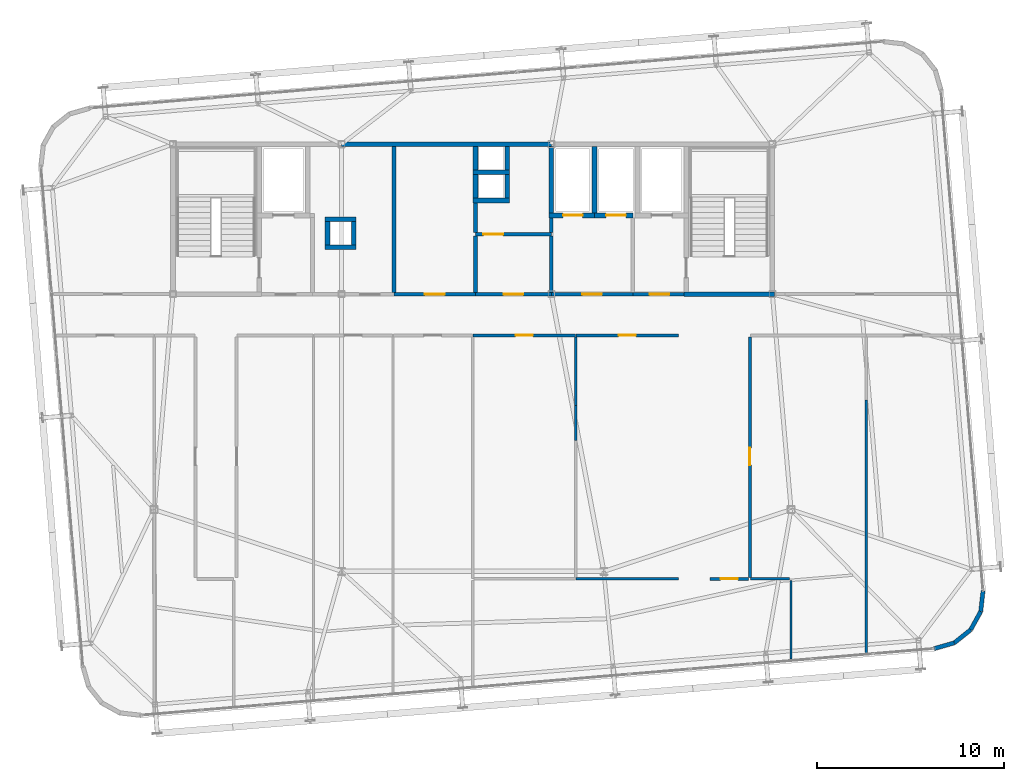
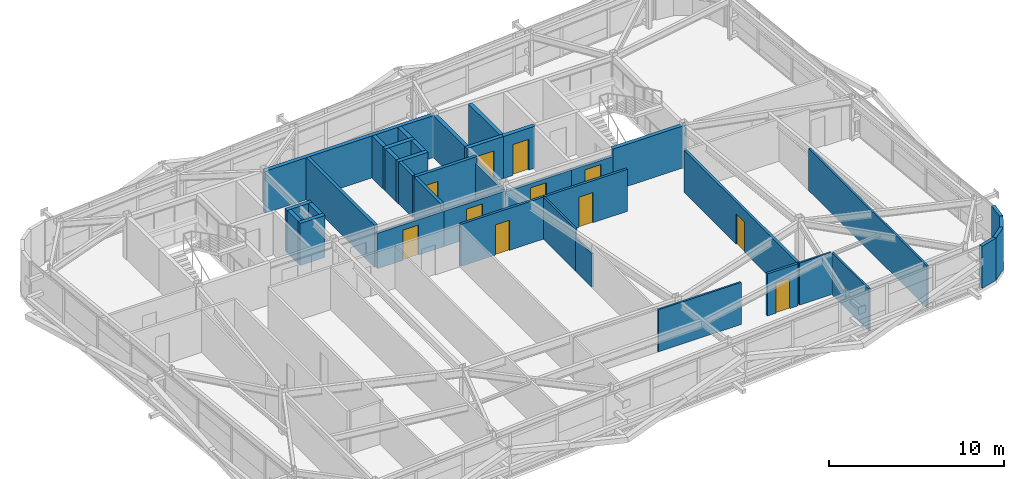
# One storey, part 41 of 44: 40 walls, 11 doors, 11 openings.
"""IFC4 building model written with IfcOpenShell, lengths in metres."""

from ifc_helpers import new_model, si_unit, direction, frame, frame_2d, origin, place, context, subcontext, project, spatial, rectangle, extrude, source, transform, mapped, material, layer, layer_set, type_object, element, fill, save


model = new_model("IFC4")

# Units and contexts
model_context = context("Model", 3, precision=1e-05, world=origin(), true_north=direction((0.0, 1.0)))
body_context = subcontext(model_context, "Body", "Model", "MODEL_VIEW")
ifc_project = project(units=[si_unit("LENGTHUNIT", "METRE"), si_unit("AREAUNIT", "SQUARE_METRE"), si_unit("VOLUMEUNIT", "CUBIC_METRE"), si_unit("PLANEANGLEUNIT", "RADIAN"), si_unit("MASSUNIT", "GRAM", prefix="KILO")], contexts=[model_context])

# Site, building, storey
site_placement = place(None, origin())
site = spatial("IfcSite", under=ifc_project, at=site_placement, CompositionType="ELEMENT")
building_placement = place(site_placement, origin())
building = spatial("IfcBuilding", under=site, at=building_placement, Name="Taldren Reach Tower", CompositionType="ELEMENT")
storey_placement = place(building_placement, frame((0.0, 0.0, 191.449951171875)))
storey = spatial("IfcBuildingStorey", under=building, at=storey_placement, Name="L58", CompositionType="ELEMENT", Elevation=191.449951171875)

# Walls
ifc_material_1 = material(Name="Pale Champagne Anodised Aluminium Cladding", Category="aluminium")
ifc_layer_1 = layer(ifc_material_1, 0.04, Name="Pale Champagne Anodised Aluminium Cladding", Category="aluminium")
ifc_material_2 = material(Name="Mineral Wool Acoustic Insulation", Category="insulation")
ifc_layer_2 = layer(ifc_material_2, 0.06, Name="Mineral Wool Acoustic Insulation", Category="insulation")
ifc_material_3 = material(Name="Steel Gr 350 (C350L0)", Category="steel")
ifc_layer_3 = layer(ifc_material_3, 0.12, Name="Steel Gr 350 (C350L0)", Category="steel")
ifc_layer_set_1 = layer_set([ifc_layer_1, ifc_layer_2, ifc_layer_3], Name="Pale Champagne Aluminium Cladding and Steel Gr 350 Stud Framing")
wall_type_1 = type_object("IfcWallType", Name="EW-CRN-220", PredefinedType="SOLIDWALL", material=ifc_layer_set_1)
shared_shape_1 = source(origin(), body_context, "Body", "SweptSolid", [
    extrude(rectangle(XDim=1.115966796875, YDim=0.219970703125, at=frame_2d((0.55810546875, 0.0))), origin(), (0.0, 0.0, 1.0), 2.929931640625),
])
for number, where, z_axis, x_axis, name in (
    (1, (59.635986328125, 5.0751953125, 0.0), (0.0, 0.0, 1.0), (0.961010464297, 0.276512002475, 0.0), "Rounded-corner pale-metal facade wall L58-SE1"),
    (2, (60.70849609375, 5.3837890625, 0.0), (0.0, 0.0, 1.0), (0.782147847222, 0.623092886403, 0.0), "Rounded-corner pale-metal facade wall L58-SE2"),
    (3, (61.581298828125, 6.0791015625, 0.0), (0.0, 0.0, 1.0), (0.483933071672, 0.875105012065, 0.0), "Rounded-corner pale-metal facade wall L58-SE3"),
    (4, (62.121337890625, 7.0556640625, 0.0), (0.0, 0.0, 1.0), (0.112448259968, 0.993657581277, 0.0), "Rounded-corner pale-metal facade wall L58-SE4"),
):
    element("IfcWall", number, at=place(storey_placement, frame(where, z_axis=z_axis, x_axis=x_axis)), inside=storey, type_object=wall_type_1, Name=name, PredefinedType="SOLIDWALL", context=body_context, shape_type="MappedRepresentation", body=[
        mapped(shared_shape_1, transform((0.0, 0.0, 0.0), scale=1.0)),
    ])

# Wall, opening, door
ifc_material_4 = material(Name="Concrete S50 (50 MPa)", Category="concrete")
ifc_layer_4 = layer(ifc_material_4, 0.199951171875)
ifc_layer_set_2 = layer_set([ifc_layer_4], Name="Concrete S50 (50 MPa)")
wall_type_2 = type_object("IfcWallType", Name="IW-CORE-200", PredefinedType="SOLIDWALL", material=ifc_layer_set_2)
shared_shape_2 = source(origin(), body_context, "Body", "SweptSolid", [
    extrude(rectangle(XDim=4.35009765625, YDim=0.199951171875, at=frame_2d((2.175048828125, 0.0))), origin(), (0.0, 0.0, 1.0), 2.39697265625),
])
wall_1_placement = place(storey_placement, frame((43.550048828125, 24.0, 0.0), z_axis=(0.0, 0.0, 1.0), x_axis=(-1.0, 0.0, 0.0)))
wall_1 = element("IfcWall", 5, at=wall_1_placement, inside=storey, type_object=wall_type_2, Name="Rear Core Shear Wall W-INT-L58-031", PredefinedType="SOLIDWALL", context=body_context, shape_type="MappedRepresentation", body=[
    mapped(shared_shape_2, transform((0.0, 0.0, 0.0), scale=1.0)),
])
shared_shape_3 = source(origin(), body_context, "Body", "SweptSolid", [
    extrude(rectangle(XDim=1.050048828125, YDim=2.10009765625, at=frame_2d((0.52490234375, 1.050048828125))), frame((0.0, 0.10986328125, 0.0), z_axis=(0.0, -1.0, 0.0), x_axis=(1.0, 0.0, 0.0)), (0.0, 0.0, 1.0), 0.219970703125),
])
opening_1_placement = place(wall_1_placement, frame((1.64990234375, 0.0, 0.0)))
opening_1 = element("IfcOpeningElement", 6, at=opening_1_placement, cuts=wall_1, Name="Opening DF-105", PredefinedType="OPENING", context=body_context, shape_type="MappedRepresentation", body=[
    mapped(shared_shape_3, transform((0.0, 0.0, 0.0), scale=1.0)),
])
ifc_material_5 = material(Name="Fire-Rated Care and Stair Exit Door")
door_type_1 = type_object("IfcDoorType", Name="ID-FIRE-105", OperationType="NOTDEFINED", PredefinedType="DOOR", material=ifc_material_5)
shared_shape_4 = source(origin(), body_context, "Body", "SweptSolid", [
    extrude(rectangle(XDim=1.050048828125, YDim=2.10009765625, at=frame_2d((0.52490234375, 1.050048828125))), frame((0.0, 0.02490234375, 0.0), z_axis=(0.0, -1.0, 0.0), x_axis=(1.0, 0.0, 0.0)), (0.0, 0.0, 1.0), 0.050048828125),
])
door_1_placement = place(opening_1_placement, frame((1.050048828125, 0.0, 0.0), z_axis=(0.0, 0.0, 1.0), x_axis=(-1.0, 0.0, 0.0)))
door_1 = element("IfcDoor", 7, at=door_1_placement, inside=storey, type_object=door_type_1, Name="Interior Door DR-L58-005", OperationType="SINGLE_SWING_LEFT", OverallHeight=2.10009765625, OverallWidth=1.050048828125, PredefinedType="DOOR", context=body_context, shape_type="MappedRepresentation", body=[
    mapped(shared_shape_4, transform((0.0, 0.0, 0.0), scale=1.0)),
])
fill(opening_1, door_1)

ifc_material_6 = material(Name="Fire-Rated Acoustic Plasterboard Stud Wall", Category="gypsum")
ifc_layer_5 = layer(ifc_material_6, 0.159912109375)
ifc_layer_set_3 = layer_set([ifc_layer_5], Name="Fire-Rated Acoustic Plasterboard Stud Wall")
wall_type_3 = type_object("IfcWallType", Name="IW-FIRE-160", PredefinedType="PARTITIONING", material=ifc_layer_set_3)
shared_shape_5 = source(origin(), body_context, "Body", "SweptSolid", [
    extrude(rectangle(XDim=2.0400390625, YDim=0.159912109375, at=frame_2d((1.02001953125, 0.0))), origin(), (0.0, 0.0, 1.0), 2.929931640625),
])
wall_2_placement = place(storey_placement, frame((49.719970703125, 8.800048828125, 0.0), z_axis=(0.0, 0.0, 1.0), x_axis=(-1.0, 0.0, 0.0)))
wall_2 = element("IfcWall", 8, at=wall_2_placement, inside=storey, type_object=wall_type_3, Name="Interior Partition Wall W-INT-L58-039", PredefinedType="PARTITIONING", context=body_context, shape_type="MappedRepresentation", body=[
    mapped(shared_shape_5, transform((0.0, 0.0, 0.0), scale=1.0)),
])
shared_shape_6 = source(origin(), body_context, "Body", "SweptSolid", [
    extrude(rectangle(XDim=0.919921875, YDim=2.10009765625, at=frame_2d((0.4599609375, 1.050048828125))), frame((0.0, 0.08984375, 0.0), z_axis=(0.0, -1.0, 0.0), x_axis=(1.0, 0.0, 0.0)), (0.0, 0.0, 1.0), 0.179931640625),
])
opening_2_placement = place(wall_2_placement, frame((0.56005859375, 0.0, 0.0)))
opening_2 = element("IfcOpeningElement", 9, at=opening_2_placement, cuts=wall_2, Name="Opening DI-092", PredefinedType="OPENING", context=body_context, shape_type="MappedRepresentation", body=[
    mapped(shared_shape_6, transform((0.0, 0.0, 0.0), scale=1.0)),
])
ifc_material_7 = material(Name="Solid-Core Timber Suite Door", Category="wood")
door_type_2 = type_object("IfcDoorType", Name="ID-INT-092", OperationType="NOTDEFINED", PredefinedType="DOOR", material=ifc_material_7)
shared_shape_7 = source(origin(), body_context, "Body", "SweptSolid", [
    extrude(rectangle(XDim=0.919921875, YDim=2.10009765625, at=frame_2d((0.4599609375, 1.050048828125))), frame((0.0, 0.02490234375, 0.0), z_axis=(0.0, -1.0, 0.0), x_axis=(1.0, 0.0, 0.0)), (0.0, 0.0, 1.0), 0.050048828125),
])
door_2_placement = place(opening_2_placement, origin())
door_2 = element("IfcDoor", 10, at=door_2_placement, inside=storey, type_object=door_type_2, Name="Interior Door DR-L58-010", OperationType="SINGLE_SWING_LEFT", OverallHeight=2.10009765625, OverallWidth=0.919921875, PredefinedType="DOOR", context=body_context, shape_type="MappedRepresentation", body=[
    mapped(shared_shape_7, transform((0.0, 0.0, 0.0), scale=1.0)),
])
fill(opening_2, door_2)

shared_shape_8 = source(origin(), body_context, "Body", "SweptSolid", [
    extrude(rectangle(XDim=4.349853515625, YDim=0.199951171875, at=frame_2d((2.1748046875, 0.0))), origin(), (0.0, 0.0, 1.0), 2.469970703125),
])
wall_3_placement = place(storey_placement, frame((35.14990234375, 24.0, 0.0), z_axis=(0.0, 0.0, 1.0), x_axis=(-1.0, 0.0, 0.0)))
wall_3 = element("IfcWall", 11, at=wall_3_placement, inside=storey, type_object=wall_type_2, Name="Rear Core Shear Wall W-INT-L58-036", PredefinedType="SOLIDWALL", context=body_context, shape_type="MappedRepresentation", body=[
    mapped(shared_shape_8, transform((0.0, 0.0, 0.0), scale=1.0)),
])
opening_3_placement = place(wall_3_placement, frame((1.64990234375, 0.0, 0.0)))
opening_3 = element("IfcOpeningElement", 12, at=opening_3_placement, cuts=wall_3, Name="Opening DF-105", PredefinedType="OPENING", context=body_context, shape_type="MappedRepresentation", body=[
    mapped(shared_shape_3, transform((0.0, 0.0, 0.0), scale=1.0)),
])
door_3_placement = place(opening_3_placement, frame((1.050048828125, 0.0, 0.0), z_axis=(0.0, 0.0, 1.0), x_axis=(-1.0, 0.0, 0.0)))
door_3 = element("IfcDoor", 13, at=door_3_placement, inside=storey, type_object=door_type_1, Name="Interior Door DR-L58-007", OperationType="SINGLE_SWING_LEFT", OverallHeight=2.10009765625, OverallWidth=1.050048828125, PredefinedType="DOOR", context=body_context, shape_type="MappedRepresentation", body=[
    mapped(shared_shape_4, transform((0.0, 0.0, 0.0), scale=1.0)),
])
fill(opening_3, door_3)

# Wall
shared_shape_9 = source(origin(), body_context, "Body", "SweptSolid", [
    extrude(rectangle(XDim=3.0, YDim=0.199951171875, at=frame_2d((1.5, 0.0))), origin(), (0.0, 0.0, 1.0), 2.469970703125),
])
wall_4_placement = place(storey_placement, frame((39.199951171875, 24.10009765625, 0.0), z_axis=(0.0, 0.0, 1.0), x_axis=(0.0, 1.0, 0.0)))
element("IfcWall", 14, at=wall_4_placement, inside=storey, type_object=wall_type_2, Name="Rear Core Shear Wall W-INT-L58-029", PredefinedType="SOLIDWALL", context=body_context, shape_type="MappedRepresentation", body=[
    mapped(shared_shape_9, transform((0.0, 0.0, 0.0), scale=1.0)),
])

# Wall, opening, door
shared_shape_10 = source(origin(), body_context, "Body", "SweptSolid", [
    extrude(rectangle(XDim=5.45947265625, YDim=0.159912109375, at=frame_2d((2.729736328125, 0.0))), origin(), (0.0, 0.0, 1.0), 2.929931640625),
])
wall_5_placement = place(storey_placement, frame((40.479736328125, 21.800048828125, 0.0), z_axis=(0.0, 0.0, 1.0), x_axis=(-1.0, 0.0, 0.0)))
wall_5 = element("IfcWall", 15, at=wall_5_placement, inside=storey, type_object=wall_type_3, Name="Interior Partition Wall W-INT-L58-050", PredefinedType="PARTITIONING", context=body_context, shape_type="MappedRepresentation", body=[
    mapped(shared_shape_10, transform((0.0, 0.0, 0.0), scale=1.0)),
])
opening_4_placement = place(wall_5_placement, frame((2.269775390625, 0.0, 0.0)))
opening_4 = element("IfcOpeningElement", 16, at=opening_4_placement, cuts=wall_5, Name="Opening DI-092", PredefinedType="OPENING", context=body_context, shape_type="MappedRepresentation", body=[
    mapped(shared_shape_6, transform((0.0, 0.0, 0.0), scale=1.0)),
])
door_4_placement = place(opening_4_placement, origin())
door_4 = element("IfcDoor", 17, at=door_4_placement, inside=storey, type_object=door_type_2, Name="Interior Door DR-L58-018", OperationType="SINGLE_SWING_LEFT", OverallHeight=2.10009765625, OverallWidth=0.919921875, PredefinedType="DOOR", context=body_context, shape_type="MappedRepresentation", body=[
    mapped(shared_shape_7, transform((0.0, 0.0, 0.0), scale=1.0)),
])
fill(opening_4, door_4)

wall_6_placement = place(storey_placement, frame((45.979736328125, 21.800048828125, 0.0), z_axis=(0.0, 0.0, 1.0), x_axis=(-1.0, 0.0, 0.0)))
wall_6 = element("IfcWall", 18, at=wall_6_placement, inside=storey, type_object=wall_type_3, Name="Interior Partition Wall W-INT-L58-051", PredefinedType="PARTITIONING", context=body_context, shape_type="MappedRepresentation", body=[
    mapped(shared_shape_10, transform((0.0, 0.0, 0.0), scale=1.0)),
])
opening_5_placement = place(wall_6_placement, frame((2.269775390625, 0.0, 0.0)))
opening_5 = element("IfcOpeningElement", 19, at=opening_5_placement, cuts=wall_6, Name="Opening DI-092", PredefinedType="OPENING", context=body_context, shape_type="MappedRepresentation", body=[
    mapped(shared_shape_6, transform((0.0, 0.0, 0.0), scale=1.0)),
])
door_5_placement = place(opening_5_placement, origin())
door_5 = element("IfcDoor", 20, at=door_5_placement, inside=storey, type_object=door_type_2, Name="Interior Door DR-L58-019", OperationType="SINGLE_SWING_RIGHT", OverallHeight=2.10009765625, OverallWidth=0.919921875, PredefinedType="DOOR", context=body_context, shape_type="MappedRepresentation", body=[
    mapped(shared_shape_7, transform((0.0, 0.0, 0.0), scale=1.0)),
])
fill(opening_5, door_5)

# Walls
ifc_material_8 = material(Name="Insulated Residential Stud Partition", Category="gypsum")
ifc_layer_6 = layer(ifc_material_8, 0.1201171875)
ifc_layer_set_4 = layer_set([ifc_layer_6], Name="Insulated Residential Stud Partition")
wall_type_4 = type_object("IfcWallType", Name="IW-PART-120", PredefinedType="PARTITIONING", material=ifc_layer_set_4)
shared_shape_11 = source(origin(), body_context, "Body", "SweptSolid", [
    extrude(rectangle(XDim=1.86083984375, YDim=0.1201171875, at=frame_2d((0.930419921875, 0.0))), origin(), (0.0, 0.0, 1.0), 2.328125),
])
wall_7_placement = place(storey_placement, frame((40.5, 18.05908203125, 0.0), z_axis=(0.0, 0.0, 1.0), x_axis=(0.0, -1.0, 0.0)))
element("IfcWall", 21, at=wall_7_placement, inside=storey, type_object=wall_type_4, Name="Interior Partition Wall W-INT-L58-065 part 2", PredefinedType="PARTITIONING", context=body_context, shape_type="MappedRepresentation", body=[
    mapped(shared_shape_11, transform((0.0, 0.0, 0.0), scale=1.0)),
])
ifc_material_9 = material(Name="Concrete S65 (65 MPa)", Category="concrete")
ifc_layer_7 = layer(ifc_material_9, 0.25)
ifc_layer_set_5 = layer_set([ifc_layer_7], Name="Concrete S65 (65 MPa)")
wall_type_5 = type_object("IfcWallType", Name="IW-CORE-250", PredefinedType="SHEAR", material=ifc_layer_set_5)
shared_shape_12 = source(origin(), body_context, "Body", "SweptSolid", [
    extrude(rectangle(XDim=11.199951171875, YDim=0.25, at=frame_2d((5.60009765625, 0.0))), origin(), (0.0, 0.0, 1.0), 2.929931640625),
])
wall_8_placement = place(storey_placement, frame((28.0, 32.0, 0.0), z_axis=(0.0, 0.0, 1.0), x_axis=(1.0, 0.0, 0.0)))
element("IfcWall", 22, at=wall_8_placement, inside=storey, type_object=wall_type_5, Name="Rear Core Shear Wall W-CORE-L58-NORTH2", PredefinedType="SHEAR", context=body_context, shape_type="MappedRepresentation", body=[
    mapped(shared_shape_12, transform((0.0, 0.0, 0.0), scale=1.0)),
])
shared_shape_13 = source(origin(), body_context, "Body", "SweptSolid", [
    extrude(rectangle(XDim=3.550048828125, YDim=0.25, at=frame_2d((1.77490234375, 0.0))), origin(), (0.0, 0.0, 1.0), 2.929931640625),
])
for number, where, z_axis, x_axis, name in (
    (23, (41.5, 28.324951171875, 0.0), (0.0, 0.0, 1.0), (0.0, 1.0, 0.0), "Rear Core Shear Wall W-INT-L58-025"),
    (24, (39.199951171875, 31.875, 0.0), (0.0, 0.0, 1.0), (0.0, -1.0, 0.0), "Rear Core Shear Wall W-INT-L58-027"),
):
    element("IfcWall", number, at=place(storey_placement, frame(where, z_axis=z_axis, x_axis=x_axis)), inside=storey, type_object=wall_type_5, Name=name, PredefinedType="SHEAR", context=body_context, shape_type="MappedRepresentation", body=[
        mapped(shared_shape_13, transform((0.0, 0.0, 0.0), scale=1.0)),
    ])
shared_shape_14 = source(origin(), body_context, "Body", "SweptSolid", [
    extrude(rectangle(XDim=4.85009765625, YDim=0.25, at=frame_2d((2.425048828125, 0.0))), origin(), (0.0, 0.0, 1.0), 2.929931640625),
])
wall_9_placement = place(storey_placement, frame((46.27490234375, 24.0, 0.0), z_axis=(0.0, 0.0, 1.0), x_axis=(1.0, 0.0, 0.0)))
element("IfcWall", 25, at=wall_9_placement, inside=storey, type_object=wall_type_5, Name="Rear Core Shear Wall W-INT-L58-010", PredefinedType="SHEAR", context=body_context, shape_type="MappedRepresentation", body=[
    mapped(shared_shape_14, transform((0.0, 0.0, 0.0), scale=1.0)),
])

# Wall, opening, door
shared_shape_15 = source(origin(), body_context, "Body", "SweptSolid", [
    extrude(rectangle(XDim=2.724853515625, YDim=0.199951171875, at=frame_2d((1.3623046875, 0.0))), origin(), (0.0, 0.0, 1.0), 2.39697265625),
])
wall_10_placement = place(storey_placement, frame((43.550048828125, 24.0, 0.0), z_axis=(0.0, 0.0, 1.0), x_axis=(1.0, 0.0, 0.0)))
wall_10 = element("IfcWall", 26, at=wall_10_placement, inside=storey, type_object=wall_type_2, Name="Rear Core Shear Wall W-INT-L58-014", PredefinedType="SOLIDWALL", context=body_context, shape_type="MappedRepresentation", body=[
    mapped(shared_shape_15, transform((0.0, 0.0, 0.0), scale=1.0)),
])
opening_6_placement = place(wall_10_placement, frame((0.89990234375, 0.0, 0.0)))
opening_6 = element("IfcOpeningElement", 27, at=opening_6_placement, cuts=wall_10, Name="Opening DF-105", PredefinedType="OPENING", context=body_context, shape_type="MappedRepresentation", body=[
    mapped(shared_shape_3, transform((0.0, 0.0, 0.0), scale=1.0)),
])
door_6_placement = place(opening_6_placement, origin())
door_6 = element("IfcDoor", 28, at=door_6_placement, inside=storey, type_object=door_type_1, Name="Interior Door DR-L58-004", OperationType="SINGLE_SWING_LEFT", OverallHeight=2.10009765625, OverallWidth=1.050048828125, PredefinedType="DOOR", context=body_context, shape_type="MappedRepresentation", body=[
    mapped(shared_shape_4, transform((0.0, 0.0, 0.0), scale=1.0)),
])
fill(opening_6, door_6)

# Walls
shared_shape_16 = source(origin(), body_context, "Body", "SweptSolid", [
    extrude(rectangle(XDim=1.9501953125, YDim=0.25, at=frame_2d((0.97509765625, 0.0))), origin(), (0.0, 0.0, 1.0), 2.929931640625),
])
for number, where, z_axis, x_axis, name in (
    (29, (35.02490234375, 30.5, 0.0), (0.0, 0.0, 1.0), (1.0, 0.0, 0.0), "Rear Core Shear Wall W-INT-L58-015"),
    (30, (35.02490234375, 29.0, 0.0), (0.0, 0.0, 1.0), (1.0, 0.0, 0.0), "Rear Core Shear Wall W-INT-L58-019"),
):
    element("IfcWall", number, at=place(storey_placement, frame(where, z_axis=z_axis, x_axis=x_axis)), inside=storey, type_object=wall_type_5, Name=name, PredefinedType="SHEAR", context=body_context, shape_type="MappedRepresentation", body=[
        mapped(shared_shape_16, transform((0.0, 0.0, 0.0), scale=1.0)),
    ])
shared_shape_17 = source(origin(), body_context, "Body", "SweptSolid", [
    extrude(rectangle(XDim=1.25, YDim=0.25, at=frame_2d((0.625, 0.0))), origin(), (0.0, 0.0, 1.0), 2.929931640625),
])
for number, where, z_axis, x_axis, name in (
    (31, (35.14990234375, 31.875, 0.0), (0.0, 0.0, 1.0), (0.0, -1.0, 0.0), "Rear Core Shear Wall W-INT-L58-016"),
    (32, (36.85009765625, 30.625, 0.0), (0.0, 0.0, 1.0), (0.0, 1.0, 0.0), "Rear Core Shear Wall W-INT-L58-017"),
    (33, (35.14990234375, 30.375, 0.0), (0.0, 0.0, 1.0), (0.0, -1.0, 0.0), "Rear Core Shear Wall W-INT-L58-018"),
    (34, (36.85009765625, 29.125, 0.0), (0.0, 0.0, 1.0), (0.0, 1.0, 0.0), "Rear Core Shear Wall W-INT-L58-020"),
    (35, (28.64990234375, 26.625, 0.0), (0.0, 0.0, 1.0), (0.0, 1.0, 0.0), "Rear Core Shear Wall W-INT-L58-021"),
    (36, (27.25, 27.875, 0.0), (0.0, 0.0, 1.0), (0.0, -1.0, 0.0), "Rear Core Shear Wall W-INT-L58-022"),
):
    element("IfcWall", number, at=place(storey_placement, frame(where, z_axis=z_axis, x_axis=x_axis)), inside=storey, type_object=wall_type_5, Name=name, PredefinedType="SHEAR", context=body_context, shape_type="MappedRepresentation", body=[
        mapped(shared_shape_17, transform((0.0, 0.0, 0.0), scale=1.0)),
    ])
shared_shape_18 = source(origin(), body_context, "Body", "SweptSolid", [
    extrude(rectangle(XDim=1.64990234375, YDim=0.25, at=frame_2d((0.824951171875, 0.0))), origin(), (0.0, 0.0, 1.0), 2.929931640625),
])
for number, where, z_axis, x_axis, name in (
    (37, (28.77490234375, 28.0, 0.0), (0.0, 0.0, 1.0), (-1.0, 0.0, 0.0), "Rear Core Shear Wall W-INT-L58-023"),
    (38, (27.125, 26.5, 0.0), (0.0, 0.0, 1.0), (1.0, 0.0, 0.0), "Rear Core Shear Wall W-INT-L58-024"),
):
    element("IfcWall", number, at=place(storey_placement, frame(where, z_axis=z_axis, x_axis=x_axis)), inside=storey, type_object=wall_type_5, Name=name, PredefinedType="SHEAR", context=body_context, shape_type="MappedRepresentation", body=[
        mapped(shared_shape_18, transform((0.0, 0.0, 0.0), scale=1.0)),
    ])

# Wall, opening, door
shared_shape_19 = source(origin(), body_context, "Body", "SweptSolid", [
    extrude(rectangle(XDim=2.425048828125, YDim=0.25, at=frame_2d((1.21240234375, 0.0))), origin(), (0.0, 0.0, 1.0), 2.929931640625),
])
wall_11_placement = place(storey_placement, frame((39.074951171875, 28.199951171875, 0.0), z_axis=(0.0, 0.0, 1.0), x_axis=(1.0, 0.0, 0.0)))
wall_11 = element("IfcWall", 39, at=wall_11_placement, inside=storey, type_object=wall_type_5, Name="Rear Core Shear Wall W-INT-L58-026", PredefinedType="SHEAR", context=body_context, shape_type="MappedRepresentation", body=[
    mapped(shared_shape_19, transform((0.0, 0.0, 0.0), scale=1.0)),
])
shared_shape_20 = source(origin(), body_context, "Body", "SweptSolid", [
    extrude(rectangle(XDim=1.050048828125, YDim=2.14990234375, at=frame_2d((0.52490234375, 1.074951171875))), frame((0.0, 0.135009765625, 0.0), z_axis=(0.0, -1.0, 0.0), x_axis=(1.0, 0.0, 0.0)), (0.0, 0.0, 1.0), 0.27001953125),
])
opening_7_placement = place(wall_11_placement, frame((0.75, 0.0, 0.0)))
opening_7 = element("IfcOpeningElement", 40, at=opening_7_placement, cuts=wall_11, Name="Opening LD-PH1", PredefinedType="OPENING", context=body_context, shape_type="MappedRepresentation", body=[
    mapped(shared_shape_20, transform((0.0, 0.0, 0.0), scale=1.0)),
])
ifc_material_10 = material(Name="Stainless Steel Gr 316 Passenger Lift Landing Door", Category="steel")
door_type_3 = type_object("IfcDoorType", Name="LD-PAS-105", OperationType="SLIDING_TO_LEFT", PredefinedType="DOOR", material=ifc_material_10)
shared_shape_21 = source(origin(), body_context, "Body", "SweptSolid", [
    extrude(rectangle(XDim=1.050048828125, YDim=2.14990234375, at=frame_2d((0.52490234375, 1.074951171875))), frame((0.0, 0.02490234375, 0.0), z_axis=(0.0, -1.0, 0.0), x_axis=(1.0, 0.0, 0.0)), (0.0, 0.0, 1.0), 0.050048828125),
])
door_7_placement = place(opening_7_placement, origin())
door_7 = element("IfcDoor", 41, at=door_7_placement, inside=storey, type_object=door_type_3, Name="Lift Landing Door LD-PH1-L58", OperationType="SLIDING_TO_LEFT", OverallHeight=2.14990234375, OverallWidth=1.050048828125, PredefinedType="DOOR", context=body_context, shape_type="MappedRepresentation", body=[
    mapped(shared_shape_21, transform((0.0, 0.0, 0.0), scale=1.0)),
])
fill(opening_7, door_7)

shared_shape_22 = source(origin(), body_context, "Body", "SweptSolid", [
    extrude(rectangle(XDim=2.070068359375, YDim=0.25, at=frame_2d((1.03515625, 0.0))), origin(), (0.0, 0.0, 1.0), 2.929931640625),
])
wall_12_placement = place(storey_placement, frame((41.5, 28.199951171875, 0.0), z_axis=(0.0, 0.0, 1.0), x_axis=(1.0, 0.0, 0.0)))
wall_12 = element("IfcWall", 42, at=wall_12_placement, inside=storey, type_object=wall_type_5, Name="Rear Core Shear Wall W-INT-L58-028", PredefinedType="SHEAR", context=body_context, shape_type="MappedRepresentation", body=[
    mapped(shared_shape_22, transform((0.0, 0.0, 0.0), scale=1.0)),
])
opening_8_placement = place(wall_12_placement, frame((0.625, 0.0, 0.0)))
opening_8 = element("IfcOpeningElement", 43, at=opening_8_placement, cuts=wall_12, Name="Opening LD-PH2", PredefinedType="OPENING", context=body_context, shape_type="MappedRepresentation", body=[
    mapped(shared_shape_20, transform((0.0, 0.0, 0.0), scale=1.0)),
])
door_8_placement = place(opening_8_placement, origin())
door_8 = element("IfcDoor", 44, at=door_8_placement, inside=storey, type_object=door_type_3, Name="Lift Landing Door LD-PH2-L58", OperationType="SLIDING_TO_LEFT", OverallHeight=2.14990234375, OverallWidth=1.050048828125, PredefinedType="DOOR", context=body_context, shape_type="MappedRepresentation", body=[
    mapped(shared_shape_21, transform((0.0, 0.0, 0.0), scale=1.0)),
])
fill(opening_8, door_8)

# Walls
shared_shape_23 = source(origin(), body_context, "Body", "SweptSolid", [
    extrude(rectangle(XDim=0.77490234375, YDim=0.199951171875, at=frame_2d((0.387451171875, 0.0))), origin(), (0.0, 0.0, 1.0), 2.469970703125),
])
wall_13_placement = place(storey_placement, frame((39.199951171875, 27.300048828125, 0.0), z_axis=(0.0, 0.0, 1.0), x_axis=(0.0, 1.0, 0.0)))
element("IfcWall", 45, at=wall_13_placement, inside=storey, type_object=wall_type_2, Name="Rear Core Shear Wall W-INT-L58-030", PredefinedType="SOLIDWALL", context=body_context, shape_type="MappedRepresentation", body=[
    mapped(shared_shape_23, transform((0.0, 0.0, 0.0), scale=1.0)),
])
shared_shape_24 = source(origin(), body_context, "Body", "SweptSolid", [
    extrude(rectangle(XDim=7.77490234375, YDim=0.199951171875, at=frame_2d((3.887451171875, 0.0))), origin(), (0.0, 0.0, 1.0), 2.929931640625),
])
wall_14_placement = place(storey_placement, frame((30.800048828125, 31.875, 0.0), z_axis=(0.0, 0.0, 1.0), x_axis=(0.0, -1.0, 0.0)))
element("IfcWall", 46, at=wall_14_placement, inside=storey, type_object=wall_type_2, Name="Rear Core Shear Wall W-INT-L58-032", PredefinedType="SOLIDWALL", context=body_context, shape_type="MappedRepresentation", body=[
    mapped(shared_shape_24, transform((0.0, 0.0, 0.0), scale=1.0)),
])
shared_shape_25 = source(origin(), body_context, "Body", "SweptSolid", [
    extrude(rectangle(XDim=3.0, YDim=0.199951171875, at=frame_2d((1.5, 0.0))), origin(), (0.0, 0.0, 1.0), 2.929931640625),
])
wall_15_placement = place(storey_placement, frame((35.14990234375, 27.10009765625, 0.0), z_axis=(0.0, 0.0, 1.0), x_axis=(0.0, -1.0, 0.0)))
element("IfcWall", 47, at=wall_15_placement, inside=storey, type_object=wall_type_2, Name="Rear Core Shear Wall W-INT-L58-034", PredefinedType="SOLIDWALL", context=body_context, shape_type="MappedRepresentation", body=[
    mapped(shared_shape_25, transform((0.0, 0.0, 0.0), scale=1.0)),
])
shared_shape_26 = source(origin(), body_context, "Body", "SweptSolid", [
    extrude(rectangle(XDim=1.574951171875, YDim=0.199951171875, at=frame_2d((0.78759765625, 0.0))), origin(), (0.0, 0.0, 1.0), 2.929931640625),
])
wall_16_placement = place(storey_placement, frame((35.14990234375, 28.875, 0.0), z_axis=(0.0, 0.0, 1.0), x_axis=(0.0, -1.0, 0.0)))
element("IfcWall", 48, at=wall_16_placement, inside=storey, type_object=wall_type_2, Name="Rear Core Shear Wall W-INT-L58-035", PredefinedType="SOLIDWALL", context=body_context, shape_type="MappedRepresentation", body=[
    mapped(shared_shape_26, transform((0.0, 0.0, 0.0), scale=1.0)),
])

# Wall, opening, door
shared_shape_27 = source(origin(), body_context, "Body", "SweptSolid", [
    extrude(rectangle(XDim=4.050048828125, YDim=0.199951171875, at=frame_2d((2.02490234375, 0.0))), origin(), (0.0, 0.0, 1.0), 2.929931640625),
])
wall_17_placement = place(storey_placement, frame((35.14990234375, 27.199951171875, 0.0), z_axis=(0.0, 0.0, 1.0), x_axis=(1.0, 0.0, 0.0)))
wall_17 = element("IfcWall", 49, at=wall_17_placement, inside=storey, type_object=wall_type_2, Name="Rear Core Shear Wall W-INT-L58-037", PredefinedType="SOLIDWALL", context=body_context, shape_type="MappedRepresentation", body=[
    mapped(shared_shape_27, transform((0.0, 0.0, 0.0), scale=1.0)),
])
opening_9_placement = place(wall_17_placement, frame((0.419921875, 0.0, 0.0)))
opening_9 = element("IfcOpeningElement", 50, at=opening_9_placement, cuts=wall_17, Name="Opening DF-105", PredefinedType="OPENING", context=body_context, shape_type="MappedRepresentation", body=[
    mapped(shared_shape_3, transform((0.0, 0.0, 0.0), scale=1.0)),
])
door_9_placement = place(opening_9_placement, origin())
door_9 = element("IfcDoor", 51, at=door_9_placement, inside=storey, type_object=door_type_1, Name="Interior Door DR-L58-008", OperationType="SINGLE_SWING_LEFT", OverallHeight=2.10009765625, OverallWidth=1.050048828125, PredefinedType="DOOR", context=body_context, shape_type="MappedRepresentation", body=[
    mapped(shared_shape_4, transform((0.0, 0.0, 0.0), scale=1.0)),
])
fill(opening_9, door_9)

shared_shape_28 = source(origin(), body_context, "Body", "SweptSolid", [
    extrude(rectangle(XDim=4.050048828125, YDim=0.199951171875, at=frame_2d((2.02490234375, 0.0))), origin(), (0.0, 0.0, 1.0), 2.469970703125),
])
wall_18_placement = place(storey_placement, frame((39.199951171875, 24.0, 0.0), z_axis=(0.0, 0.0, 1.0), x_axis=(-1.0, 0.0, 0.0)))
wall_18 = element("IfcWall", 52, at=wall_18_placement, inside=storey, type_object=wall_type_2, Name="Rear Core Shear Wall W-INT-L58-038", PredefinedType="SOLIDWALL", context=body_context, shape_type="MappedRepresentation", body=[
    mapped(shared_shape_28, transform((0.0, 0.0, 0.0), scale=1.0)),
])
opening_10_placement = place(wall_18_placement, frame((1.5, 0.0, 0.0)))
opening_10 = element("IfcOpeningElement", 53, at=opening_10_placement, cuts=wall_18, Name="Opening DF-105", PredefinedType="OPENING", context=body_context, shape_type="MappedRepresentation", body=[
    mapped(shared_shape_3, transform((0.0, 0.0, 0.0), scale=1.0)),
])
door_10_placement = place(opening_10_placement, frame((1.050048828125, 0.0, 0.0), z_axis=(0.0, 0.0, 1.0), x_axis=(-1.0, 0.0, 0.0)))
door_10 = element("IfcDoor", 54, at=door_10_placement, inside=storey, type_object=door_type_1, Name="Interior Door DR-L58-009", OperationType="SINGLE_SWING_LEFT", OverallHeight=2.10009765625, OverallWidth=1.050048828125, PredefinedType="DOOR", context=body_context, shape_type="MappedRepresentation", body=[
    mapped(shared_shape_4, transform((0.0, 0.0, 0.0), scale=1.0)),
])
fill(opening_10, door_10)

shared_shape_29 = source(origin(), body_context, "Body", "SweptSolid", [
    extrude(rectangle(XDim=12.840087890625, YDim=0.159912109375, at=frame_2d((6.419921875, 0.0))), origin(), (0.0, 0.0, 1.0), 2.929931640625),
])
wall_19_placement = place(storey_placement, frame((49.800048828125, 21.719970703125, 0.0), z_axis=(0.0, 0.0, 1.0), x_axis=(0.0, -1.0, 0.0)))
wall_19 = element("IfcWall", 55, at=wall_19_placement, inside=storey, type_object=wall_type_3, Name="Interior Partition Wall W-INT-L58-052", PredefinedType="PARTITIONING", context=body_context, shape_type="MappedRepresentation", body=[
    mapped(shared_shape_29, transform((0.0, 0.0, 0.0), scale=1.0)),
])
opening_11_placement = place(wall_19_placement, frame((5.93017578125, 0.0, 0.0)))
opening_11 = element("IfcOpeningElement", 56, at=opening_11_placement, cuts=wall_19, Name="Opening DI-092", PredefinedType="OPENING", context=body_context, shape_type="MappedRepresentation", body=[
    mapped(shared_shape_6, transform((0.0, 0.0, 0.0), scale=1.0)),
])
door_11_placement = place(opening_11_placement, origin())
door_11 = element("IfcDoor", 57, at=door_11_placement, inside=storey, type_object=door_type_2, Name="Interior Door DR-L58-020", OperationType="SINGLE_SWING_LEFT", OverallHeight=2.10009765625, OverallWidth=0.919921875, PredefinedType="DOOR", context=body_context, shape_type="MappedRepresentation", body=[
    mapped(shared_shape_7, transform((0.0, 0.0, 0.0), scale=1.0)),
])
fill(opening_11, door_11)

# Walls
shared_shape_30 = source(origin(), body_context, "Body", "SweptSolid", [
    extrude(rectangle(XDim=2.099609375, YDim=0.1201171875, at=frame_2d((1.0498046875, 0.0))), origin(), (0.0, 0.0, 1.0), 2.929931640625),
])
wall_20_placement = place(storey_placement, frame((49.8203125, 8.800048828125, 0.0), z_axis=(0.0, 0.0, 1.0), x_axis=(1.0, 0.0, 0.0)))
element("IfcWall", 58, at=wall_20_placement, inside=storey, type_object=wall_type_4, Name="Interior Partition Wall W-INT-L58-059", PredefinedType="PARTITIONING", context=body_context, shape_type="MappedRepresentation", body=[
    mapped(shared_shape_30, transform((0.0, 0.0, 0.0), scale=1.0)),
])
shared_shape_31 = source(origin(), body_context, "Body", "SweptSolid", [
    extrude(rectangle(XDim=5.45947265625, YDim=0.1201171875, at=frame_2d((2.729736328125, 0.0))), origin(), (0.0, 0.0, 1.0), 2.929931640625),
])
wall_21_placement = place(storey_placement, frame((40.520263671875, 8.800048828125, 0.0), z_axis=(0.0, 0.0, 1.0), x_axis=(1.0, 0.0, 0.0)))
element("IfcWall", 59, at=wall_21_placement, inside=storey, type_object=wall_type_4, Name="Interior Partition Wall W-INT-L58-057", PredefinedType="PARTITIONING", context=body_context, shape_type="MappedRepresentation", body=[
    mapped(shared_shape_31, transform((0.0, 0.0, 0.0), scale=1.0)),
])
shared_shape_32 = source(origin(), body_context, "Body", "SweptSolid", [
    extrude(rectangle(XDim=4.202392578125, YDim=0.1201171875, at=frame_2d((2.10107421875, 0.0))), origin(), (0.0, 0.0, 1.0), 2.929931640625),
])
wall_22_placement = place(storey_placement, frame((52.0, 8.719970703125, 0.0), z_axis=(0.0, 0.0, 1.0), x_axis=(0.0, -1.0, 0.0)))
element("IfcWall", 60, at=wall_22_placement, inside=storey, type_object=wall_type_4, Name="Interior Partition Wall W-INT-L58-058", PredefinedType="PARTITIONING", context=body_context, shape_type="MappedRepresentation", body=[
    mapped(shared_shape_32, transform((0.0, 0.0, 0.0), scale=1.0)),
])
shared_shape_33 = source(origin(), body_context, "Body", "SweptSolid", [
    extrude(rectangle(XDim=3.660888671875, YDim=0.1201171875, at=frame_2d((1.83056640625, 0.0))), origin(), (0.0, 0.0, 1.0), 2.929931640625),
])
wall_23_placement = place(storey_placement, frame((40.5, 21.719970703125, 0.0), z_axis=(0.0, 0.0, 1.0), x_axis=(0.0, -1.0, 0.0)))
element("IfcWall", 61, at=wall_23_placement, inside=storey, type_object=wall_type_4, Name="Interior Partition Wall W-INT-L58-065", PredefinedType="PARTITIONING", context=body_context, shape_type="MappedRepresentation", body=[
    mapped(shared_shape_33, transform((0.0, 0.0, 0.0), scale=1.0)),
])
shared_shape_34 = source(origin(), body_context, "Body", "SweptSolid", [
    extrude(rectangle(XDim=13.505859375, YDim=0.1201171875, at=frame_2d((6.7529296875, 0.0))), origin(), (0.0, 0.0, 1.0), 2.929931640625),
])
wall_24_placement = place(storey_placement, frame((56.017578125, 18.36083984375, 0.0), z_axis=(0.0, 0.0, 1.0), x_axis=(0.0, -1.0, 0.0)))
element("IfcWall", 62, at=wall_24_placement, inside=storey, type_object=wall_type_4, Name="Interior Partition Wall W-INT-L58-066 part 2", PredefinedType="PARTITIONING", context=body_context, shape_type="MappedRepresentation", body=[
    mapped(shared_shape_34, transform((0.0, 0.0, 0.0), scale=1.0)),
])

save(model, "model.ifc")
